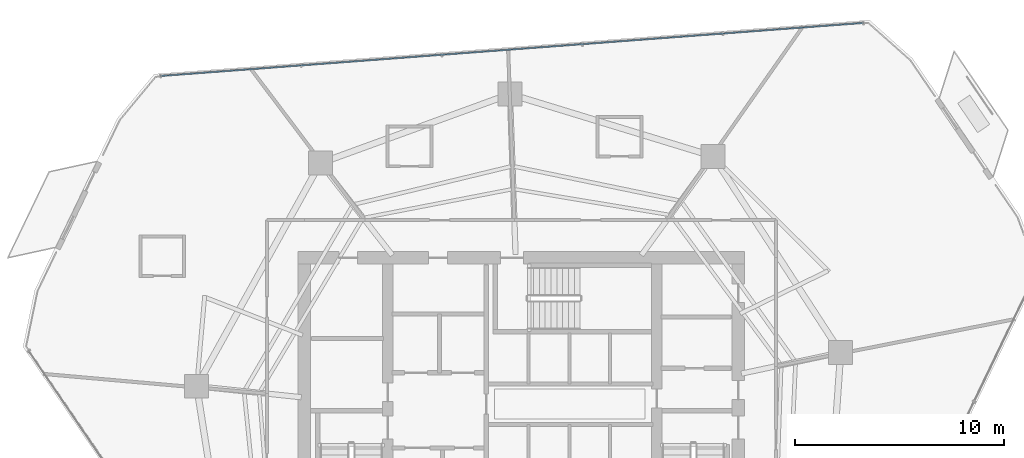
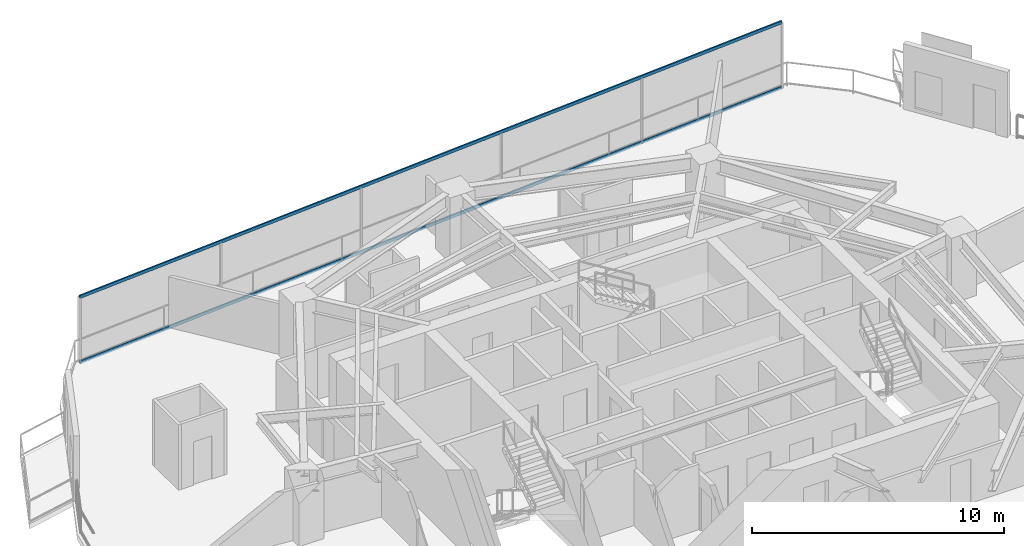
# One storey, part 20 of 30: 2 members, 1 element without a shape of its own.
"""IFC4 building model written with IfcOpenShell, lengths in metres."""

from ifc_helpers import new_model, si_unit, direction, frame, origin, origin_2d, place, context, subcontext, project, spatial, hollow_rectangle, extrude, material, layer, layer_set, material_profile, profile_set, type_object, element, aggregate, save


model = new_model("IFC4")

# Units and contexts
model_context = context("Model", 3, precision=1e-05, world=origin(), true_north=direction((0.0, 1.0)))
body_context = subcontext(model_context, "Body", "Model", "MODEL_VIEW")
ifc_project = project(units=[si_unit("LENGTHUNIT", "METRE"), si_unit("AREAUNIT", "SQUARE_METRE"), si_unit("VOLUMEUNIT", "CUBIC_METRE"), si_unit("PLANEANGLEUNIT", "RADIAN"), si_unit("MASSUNIT", "GRAM", prefix="KILO")], contexts=[model_context])

# Site, building, storey
site_placement = place(None, origin())
site = spatial("IfcSite", under=ifc_project, at=site_placement, CompositionType="ELEMENT")
building_placement = place(site_placement, origin())
building = spatial("IfcBuilding", under=site, at=building_placement, Name="Qarnah Convention Tower", CompositionType="ELEMENT")
storey_placement = place(building_placement, frame((0.0, 0.0, 83.25)))
storey = spatial("IfcBuildingStorey", under=building, at=storey_placement, Name="L21", CompositionType="ELEMENT", Elevation=83.25)

# Curtain wall, members
ifc_material_1 = material(Name="Tempered Low-E dark glass", Category="glass")
ifc_layer = layer(ifc_material_1, 0.169921875)
ifc_layer_set = layer_set([ifc_layer], Name="Tempered Low-E dark glass")
curtain_wall_type = type_object("IfcCurtainWallType", Name="CWS-02", PredefinedType="NOTDEFINED", material=ifc_layer_set)
curtain_wall_placement = place(storey_placement, origin())
curtain_wall = element("IfcCurtainWall", 1, at=curtain_wall_placement, inside=storey, type_object=curtain_wall_type, Name="L21 unitised curtain wall CW-L21-F2", PredefinedType="NOTDEFINED")
ifc_material_2 = material(Name="Black anodised aluminium", Category="aluminium")
ifc_material_profile = material_profile(ifc_material_2, hollow_rectangle(XDim=0.06494140625, YDim=0.14990234375, WallThickness=0.00390625, at=origin_2d()), Name="TRN-65X150")
ifc_profile_set = profile_set([ifc_material_profile], Name="Black anodised aluminium")
member_type = type_object("IfcMemberType", Name="TRN-T2", PredefinedType="USERDEFINED", material=ifc_profile_set)
member_1_placement = place(storey_placement, frame((19.906982421875, 42.906982421875, 0.0), z_axis=(0.99715904332, 0.075324911718, 0.0), x_axis=(-0.075324911718, 0.99715904332, 0.0)))
member_1 = element("IfcMember", 2, at=member_1_placement, type_object=member_type, Name="CW-L21-F2 transom 1", ObjectType="TRANSOM", PredefinedType="USERDEFINED", context=body_context, shape_type="SweptSolid", body=[
    extrude(hollow_rectangle(XDim=0.06494140625, YDim=0.14990234375, WallThickness=0.00390625, at=origin_2d()), origin(), (0.0, 0.0, 1.0), 33.785888671875),
])
member_2_placement = place(storey_placement, frame((19.906982421875, 42.906982421875, 3.169921875), z_axis=(0.99715904332, 0.075324911718, 0.0), x_axis=(-0.075324911718, 0.99715904332, 0.0)))
member_2 = element("IfcMember", 3, at=member_2_placement, type_object=member_type, Name="CW-L21-F2 transom 2", ObjectType="TRANSOM", PredefinedType="USERDEFINED", context=body_context, shape_type="SweptSolid", body=[
    extrude(hollow_rectangle(XDim=0.06494140625, YDim=0.14990234375, WallThickness=0.00390625, at=origin_2d()), origin(), (0.0, 0.0, 1.0), 33.785888671875),
])
aggregate(curtain_wall, [member_1, member_2])

save(model, "model.ifc")
